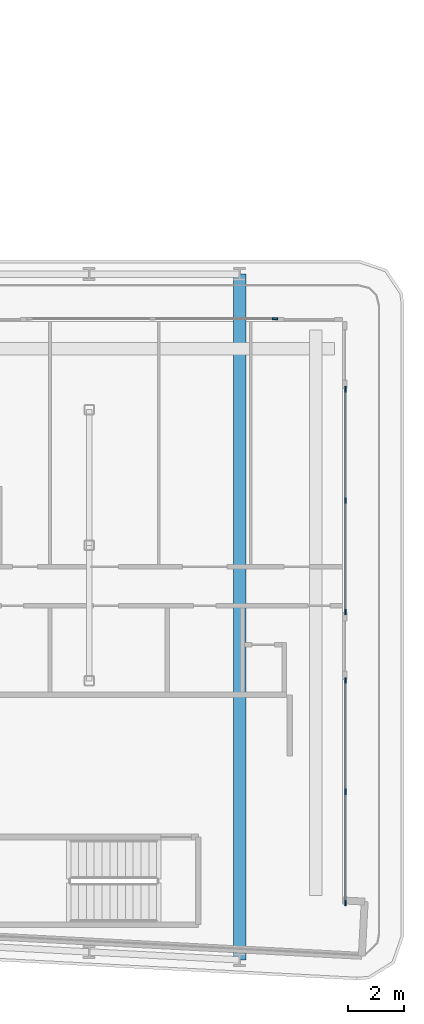
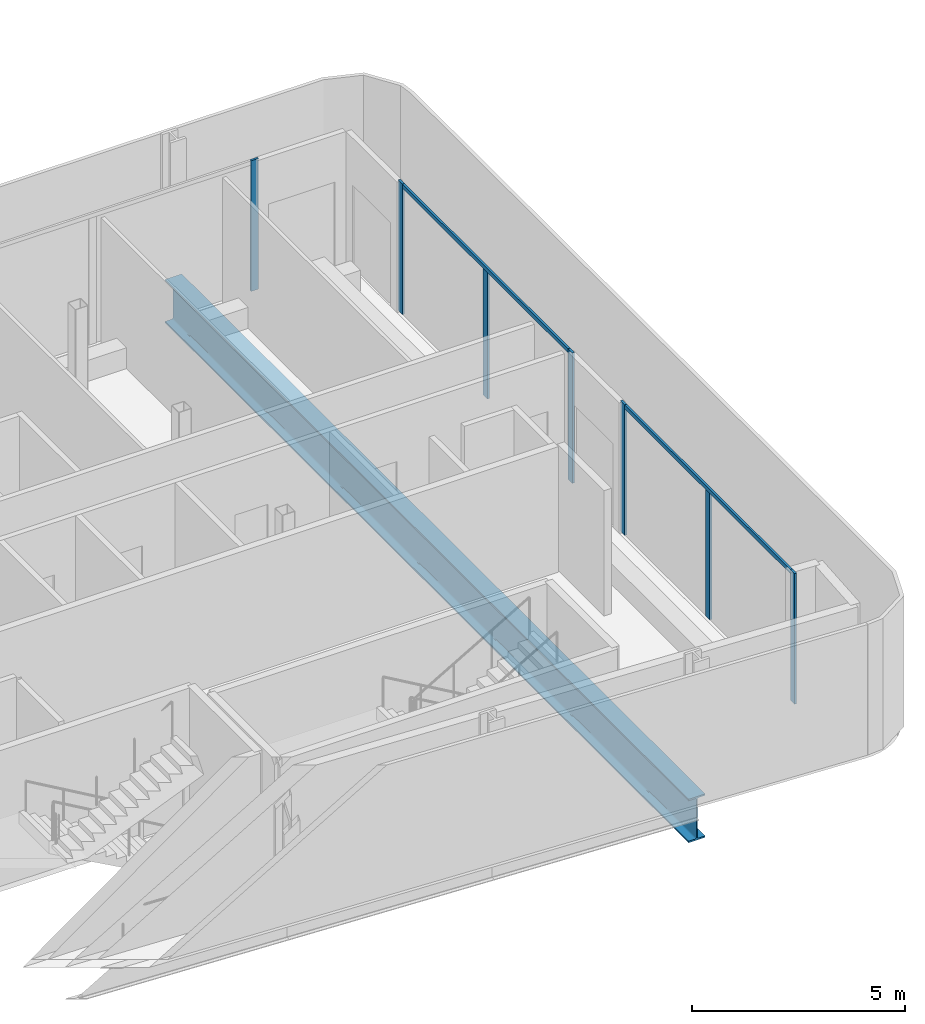
# One storey, part 8 of 27: 9 members, 1 beam, 3 elements without a shape of their own.
"""IFC4 building model written with IfcOpenShell, lengths in metres."""

from ifc_helpers import new_model, si_unit, direction, frame, origin, origin_2d, place, context, subcontext, project, spatial, rectangle, i_section, extrude, material, layer, layer_set, material_profile, profile_set, type_object, element, aggregate, save


model = new_model("IFC4")

# Units and contexts
model_context = context("Model", 3, precision=1e-05, world=origin(), true_north=direction((0.0, 1.0)))
body_context = subcontext(model_context, "Body", "Model", "MODEL_VIEW")
ifc_project = project(units=[si_unit("LENGTHUNIT", "METRE"), si_unit("AREAUNIT", "SQUARE_METRE"), si_unit("VOLUMEUNIT", "CUBIC_METRE"), si_unit("PLANEANGLEUNIT", "RADIAN"), si_unit("MASSUNIT", "GRAM", prefix="KILO")], contexts=[model_context])

# Site, building, storey
site_placement = place(None, origin())
site = spatial("IfcSite", under=ifc_project, at=site_placement, CompositionType="ELEMENT")
building_placement = place(site_placement, origin())
building = spatial("IfcBuilding", under=site, at=building_placement, Name="Kheshtan School and Residences Tower", CompositionType="ELEMENT")
storey_placement = place(building_placement, frame((0.0, 0.0, 50.0)))
storey = spatial("IfcBuildingStorey", under=building, at=storey_placement, Name="L11", CompositionType="ELEMENT", Elevation=50.0)

# Curtain wall, member
ifc_material_1 = material(Name="Clear low-e glass in thermally broken aluminium frame", Category="aluminium")
ifc_layer = layer(ifc_material_1, 0.199951171875)
ifc_layer_set = layer_set([ifc_layer], Name="Curtain wall CW-L")
curtain_wall_type = type_object("IfcCurtainWallType", Name="Curtain wall CW-L", PredefinedType="NOTDEFINED", material=ifc_layer_set)
curtain_wall_1_placement = place(storey_placement, origin())
curtain_wall_1 = element("IfcCurtainWall", 1, at=curtain_wall_1_placement, inside=storey, type_object=curtain_wall_type, Name="Curtain wall CWL12i", PredefinedType="NOTDEFINED")
ifc_material_2 = material(Name="Thermally broken aluminium, dark bronze anodised", Category="aluminium")
ifc_material_profile_1 = material_profile(ifc_material_2, rectangle(XDim=0.06005859375, YDim=0.199951171875, at=origin_2d()), Name="CW-L mullion 60x200")
ifc_profile_set_1 = profile_set([ifc_material_profile_1], Name="Thermally broken aluminium, dark bronze anodised")
member_type_1 = type_object("IfcMemberType", Name="CW-L mullion 60x200", PredefinedType="MULLION", material=ifc_profile_set_1)
member_1_placement = place(storey_placement, frame((92.070068359375, 44.0, 0.0), z_axis=(0.0, 0.0, 1.0), x_axis=(0.0, 1.0, 0.0)))
member_1 = element("IfcMember", 2, at=member_1_placement, type_object=member_type_1, Name="CWL12i mullion 3", PredefinedType="MULLION", context=body_context, shape_type="SweptSolid", body=[
    extrude(rectangle(XDim=0.06005859375, YDim=0.199951171875, at=origin_2d()), origin(), (0.0, 0.0, 1.0), 3.75),
])
aggregate(curtain_wall_1, [member_1])

# Curtain wall, members
curtain_wall_2_placement = place(storey_placement, origin())
curtain_wall_2 = element("IfcCurtainWall", 3, at=curtain_wall_2_placement, inside=storey, type_object=curtain_wall_type, Name="Curtain wall CWL13a", PredefinedType="NOTDEFINED")
member_2_placement = place(storey_placement, frame((94.60009765625, 41.469970703125, 0.0), z_axis=(0.0, 0.0, 1.0), x_axis=(1.0, 0.0, 0.0)))
member_2 = element("IfcMember", 4, at=member_2_placement, type_object=member_type_1, Name="CWL13a mullion 1", PredefinedType="MULLION", context=body_context, shape_type="SweptSolid", body=[
    extrude(rectangle(XDim=0.06005859375, YDim=0.199951171875, at=origin_2d()), origin(), (0.0, 0.0, 1.0), 3.75),
])
member_3_placement = place(storey_placement, frame((94.60009765625, 37.474609375, 0.0), z_axis=(0.0, 0.0, 1.0), x_axis=(1.0, 0.0, 0.0)))
member_3 = element("IfcMember", 5, at=member_3_placement, type_object=member_type_1, Name="CWL13a mullion 2", PredefinedType="MULLION", context=body_context, shape_type="SweptSolid", body=[
    extrude(rectangle(XDim=0.06005859375, YDim=0.199951171875, at=origin_2d()), origin(), (0.0, 0.0, 1.0), 3.6298828125),
])
member_4_placement = place(storey_placement, frame((94.60009765625, 33.47900390625, 0.0), z_axis=(0.0, 0.0, 1.0), x_axis=(1.0, 0.0, 0.0)))
member_4 = element("IfcMember", 6, at=member_4_placement, type_object=member_type_1, Name="CWL13a mullion 3", PredefinedType="MULLION", context=body_context, shape_type="SweptSolid", body=[
    extrude(rectangle(XDim=0.06005859375, YDim=0.199951171875, at=origin_2d()), origin(), (0.0, 0.0, 1.0), 3.75),
])

curtain_wall_3_placement = place(storey_placement, origin())
curtain_wall_3 = element("IfcCurtainWall", 7, at=curtain_wall_3_placement, inside=storey, type_object=curtain_wall_type, Name="Curtain wall CWL13a", PredefinedType="NOTDEFINED")
member_5_placement = place(storey_placement, frame((94.60009765625, 31.01904296875, 0.0), z_axis=(0.0, 0.0, 1.0), x_axis=(1.0, 0.0, 0.0)))
member_5 = element("IfcMember", 8, at=member_5_placement, type_object=member_type_1, Name="CWL13a mullion 1", PredefinedType="MULLION", context=body_context, shape_type="SweptSolid", body=[
    extrude(rectangle(XDim=0.06005859375, YDim=0.199951171875, at=origin_2d()), origin(), (0.0, 0.0, 1.0), 3.75),
])
member_6_placement = place(storey_placement, frame((94.60009765625, 27.0234375, 0.0), z_axis=(0.0, 0.0, 1.0), x_axis=(1.0, 0.0, 0.0)))
member_6 = element("IfcMember", 9, at=member_6_placement, type_object=member_type_1, Name="CWL13a mullion 2", PredefinedType="MULLION", context=body_context, shape_type="SweptSolid", body=[
    extrude(rectangle(XDim=0.06005859375, YDim=0.199951171875, at=origin_2d()), origin(), (0.0, 0.0, 1.0), 3.6298828125),
])
member_7_placement = place(storey_placement, frame((94.60009765625, 23.028076171875, 0.0), z_axis=(0.0, 0.0, 1.0), x_axis=(1.0, 0.0, 0.0)))
member_7 = element("IfcMember", 10, at=member_7_placement, type_object=member_type_1, Name="CWL13a mullion 3", PredefinedType="MULLION", context=body_context, shape_type="SweptSolid", body=[
    extrude(rectangle(XDim=0.06005859375, YDim=0.199951171875, at=origin_2d()), origin(), (0.0, 0.0, 1.0), 3.75),
])

# Member
ifc_material_profile_2 = material_profile(ifc_material_2, rectangle(XDim=0.06005859375, YDim=0.1201171875, at=origin_2d()), Name="CW-L transom 60x120")
ifc_profile_set_2 = profile_set([ifc_material_profile_2], Name="Thermally broken aluminium, dark bronze anodised")
member_type_2 = type_object("IfcMemberType", Name="CW-L transom 60x120", PredefinedType="USERDEFINED", material=ifc_profile_set_2)
member_8_placement = place(storey_placement, frame((94.60009765625, 41.43994140625, 3.68994140625), z_axis=(0.0, -1.0, 0.0), x_axis=(1.0, 0.0, 0.0)))
member_8 = element("IfcMember", 11, at=member_8_placement, type_object=member_type_2, Name="CWL13a transom 1", ObjectType="TRANSOM", PredefinedType="USERDEFINED", context=body_context, shape_type="SweptSolid", body=[
    extrude(rectangle(XDim=0.06005859375, YDim=0.1201171875, at=origin_2d()), origin(), (0.0, 0.0, 1.0), 7.930908203125),
])

aggregate(curtain_wall_2, [member_2, member_3, member_4, member_8])

member_9_placement = place(storey_placement, frame((94.60009765625, 30.989013671875, 3.68994140625), z_axis=(0.0, -1.0, 0.0), x_axis=(1.0, 0.0, 0.0)))
member_9 = element("IfcMember", 12, at=member_9_placement, type_object=member_type_2, Name="CWL13a transom 1", ObjectType="TRANSOM", PredefinedType="USERDEFINED", context=body_context, shape_type="SweptSolid", body=[
    extrude(rectangle(XDim=0.06005859375, YDim=0.1201171875, at=origin_2d()), origin(), (0.0, 0.0, 1.0), 7.930908203125),
])

aggregate(curtain_wall_3, [member_5, member_6, member_7, member_9])

# Beam
ifc_material_3 = material(Name="Steel ASTM A992 Grade 50", Category="steel")
ifc_material_profile_3 = material_profile(ifc_material_3, i_section(OverallWidth=0.449951171875, OverallDepth=1.25, WebThickness=0.02490234375, FlangeThickness=0.044921875, FilletRadius=0.03759765625, at=origin_2d()), Name="WWF1250x546")
ifc_profile_set_3 = profile_set([ifc_material_profile_3], Name="Steel ASTM A992 Grade 50")
beam_type = type_object("IfcBeamType", Name="Transfer girder TG4 WWF1250x546 ASTM A992 Grade 50", PredefinedType="BEAM", material=ifc_profile_set_3)
beam_placement = place(storey_placement, frame((90.800048828125, 45.60009765625, -0.77490234375), z_axis=(0.0, -1.0, 0.0), x_axis=(1.0, 0.0, 0.0)))
element("IfcBeam", 13, at=beam_placement, inside=storey, type_object=beam_type, Name="Transfer girder C068-C006", PredefinedType="BEAM", context=body_context, shape_type="SweptSolid", body=[
    extrude(i_section(OverallWidth=0.449951171875, OverallDepth=1.25, WebThickness=0.02490234375, FlangeThickness=0.044921875, FilletRadius=0.03759765625, at=origin_2d()), origin(), (0.0, 0.0, 1.0), 24.610107421875),
])

save(model, "model.ifc")
